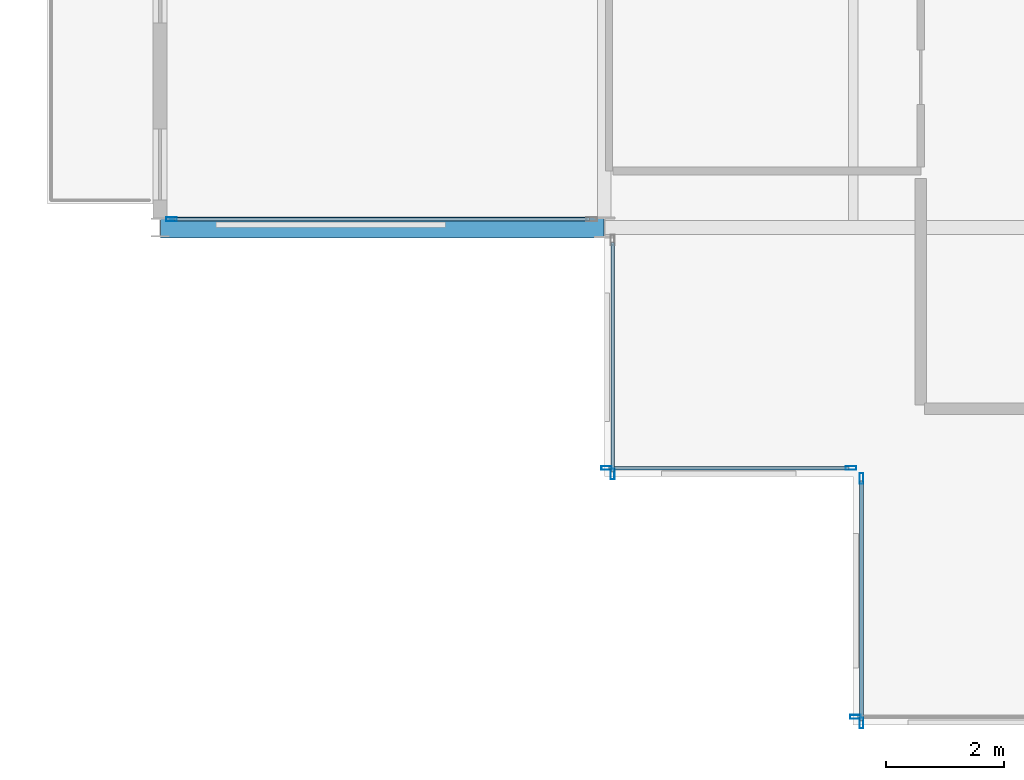
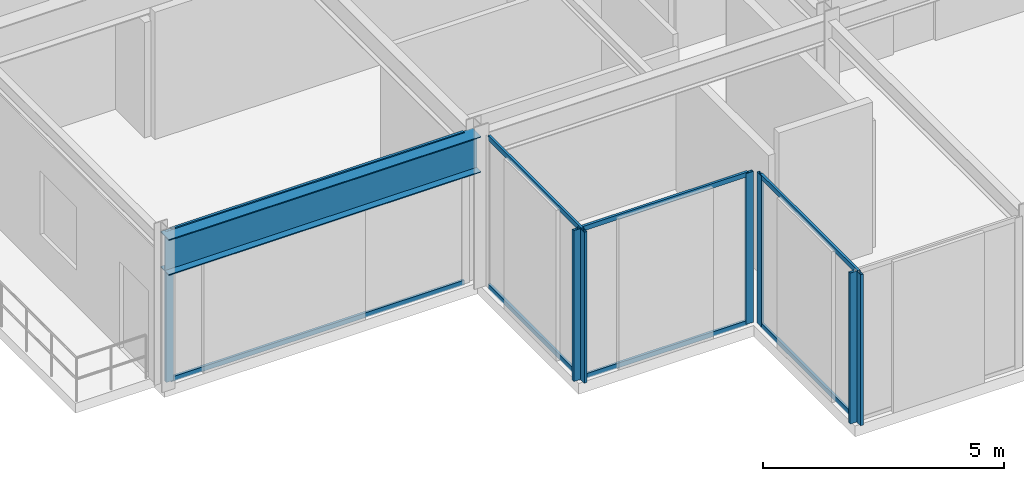
# One storey, part 3 of 29: 15 members, 1 beam, 5 elements without a shape of their own.
"""IFC4 building model written with IfcOpenShell, lengths in metres."""

import ifcopenshell
import ifcopenshell.guid

model = None  # the IFC model being written
_history = None  # IfcOwnerHistory: only IFC2X3 demands one
_inside = {}  # id of a spatial element -> (the spatial element, [elements in it])
_under = {}  # id of a project, library or spatial element -> (it, [spatial elements below it])
_declared = {}  # id of a project -> (the project, [libraries it declares])
_typed = {}  # id of a type object -> (the type object, [elements of that type])
_made_of = {}  # id of a material, layer set ... -> (it, [elements and type objects made of it])


def new_model(schema):
    """Start an empty IFC model of exactly this schema.

    Asked for "IFC4X3", IfcOpenShell would pick the latest addendum, in which some entities
    have other attributes; the version numbers below select the first issue.
    IFC2X3 requires an IfcOwnerHistory on every rooted entity: one is made here for all.
    """
    global model, _history
    if schema == "IFC4X3":
        model = ifcopenshell.file(schema_version=(4, 3, 0, 0))
    else:
        model = ifcopenshell.file(schema=schema)
    _inside.clear()
    _under.clear()
    _declared.clear()
    _typed.clear()
    _made_of.clear()
    _history = None
    if model.schema == "IFC2X3":
        org = make("IfcOrganization", Name="unknown")
        user = make(
            "IfcPersonAndOrganization",
            ThePerson=make("IfcPerson", FamilyName="unknown"),
            TheOrganization=org,
        )
        app = make(
            "IfcApplication",
            ApplicationDeveloper=org,
            Version="unknown",
            ApplicationFullName="unknown",
            ApplicationIdentifier="unknown",
        )
        _history = make(
            "IfcOwnerHistory",
            OwningUser=user,
            OwningApplication=app,
            ChangeAction="ADDED",
            CreationDate=0,
        )
    return model


def make(cls, **values):
    """One entity of the class cls with the attributes given. An attribute that is None is left unset."""
    return model.create_entity(
        cls, **{name: value for name, value in values.items() if value is not None}
    )


def rooted(cls, **values):
    """An entity with a GlobalId (a new one), such as an element, a storey or a relation."""
    return make(cls, GlobalId=ifcopenshell.guid.new(), OwnerHistory=_history, **values)


def si_unit(unit_type, name, prefix=None):
    """IfcSIUnit, for example si_unit("LENGTHUNIT", "METRE", prefix="MILLI")."""
    return make("IfcSIUnit", UnitType=unit_type, Prefix=prefix, Name=name)


def assignment(units):
    """IfcUnitAssignment: the units of a project."""
    return None if units is None else make("IfcUnitAssignment", Units=units)


def point(xyz):
    """IfcCartesianPoint."""
    return None if xyz is None else make("IfcCartesianPoint", Coordinates=xyz)


def direction(xyz):
    """IfcDirection."""
    return None if xyz is None else make("IfcDirection", DirectionRatios=xyz)


def frame(location, z_axis=None, x_axis=None):
    """IfcAxis2Placement3D, a coordinate frame: its origin and axes. An axis left out is left unset."""
    return make(
        "IfcAxis2Placement3D",
        Location=point(location),
        Axis=direction(z_axis),
        RefDirection=direction(x_axis),
    )


def frame_2d(location, x_axis=None):
    """IfcAxis2Placement2D, a coordinate frame in the plane: its origin and x axis."""
    return make(
        "IfcAxis2Placement2D", Location=point(location), RefDirection=direction(x_axis)
    )


def origin():
    """The frame at (0, 0, 0) with its axes left unset."""
    return frame((0.0, 0.0, 0.0))


def origin_2d():
    """The frame at (0, 0) in the plane with its x axis left unset."""
    return frame_2d((0.0, 0.0))


def place(relative_to, where):
    """IfcLocalPlacement: puts the frame where relative to a parent placement (None: the world)."""
    return make(
        "IfcLocalPlacement", PlacementRelTo=relative_to, RelativePlacement=where
    )


def context(
    kind, dimensions, precision=None, world=None, true_north=None, identifier=None
):
    """IfcGeometricRepresentationContext, for example the 3D "Model" context."""
    return make(
        "IfcGeometricRepresentationContext",
        ContextIdentifier=identifier,
        ContextType=kind,
        CoordinateSpaceDimension=dimensions,
        Precision=precision,
        WorldCoordinateSystem=world,
        TrueNorth=true_north,
    )


def subcontext(parent, identifier, kind, view, scale=None):
    """IfcGeometricRepresentationSubContext, for example "Body" below "Model"."""
    return make(
        "IfcGeometricRepresentationSubContext",
        ContextIdentifier=identifier,
        ContextType=kind,
        ParentContext=parent,
        TargetScale=scale,
        TargetView=view,
    )


def project(units=None, contexts=None):
    """IfcProject with its units and contexts."""
    return rooted(
        "IfcProject",
        Name="project",
        RepresentationContexts=contexts,
        UnitsInContext=assignment(units),
    )


def spatial(cls, under=None, at=None, **own):
    """A site, building, storey or space (cls), placed at a placement, below another one or the project."""
    s = rooted(cls, ObjectPlacement=at, **own)
    if under is not None:
        _under.setdefault(under.id(), (under, []))[1].append(s)
    return s


def profile(cls, at=None, kind="AREA", **sizes):
    """A parametric profile (cls). Its sizes go by their IFC names, for example OverallWidth=200.0."""
    return make(cls, ProfileType=kind, Position=at, **sizes)


def hollow_rectangle(**sizes):
    """IfcRectangleHollowProfileDef."""
    return profile("IfcRectangleHollowProfileDef", **sizes)


def i_section(**sizes):
    """IfcIShapeProfileDef."""
    return profile("IfcIShapeProfileDef", **sizes)


def extrude(swept, where, along, depth):
    """IfcExtrudedAreaSolid: the profile swept, set in the frame where, extruded along a direction by depth."""
    return make(
        "IfcExtrudedAreaSolid",
        SweptArea=swept,
        Position=where,
        ExtrudedDirection=direction(along),
        Depth=depth,
    )


def shape(context_of_items, identifier, shape_type, items):
    """IfcShapeRepresentation: the items that make up one representation, for example the "Body"."""
    return make(
        "IfcShapeRepresentation",
        ContextOfItems=context_of_items,
        RepresentationIdentifier=identifier,
        RepresentationType=shape_type,
        Items=items,
    )


def material(Name=None, Category=None):
    """IfcMaterial."""
    return make("IfcMaterial", Name=Name, Category=Category)


def layer(
    of_material, thickness, ventilated=None, Name=None, Category=None, Priority=None
):
    """IfcMaterialLayer: one layer of a wall or slab, of a material (None: an air gap)."""
    return make(
        "IfcMaterialLayer",
        Material=of_material,
        LayerThickness=thickness,
        IsVentilated=ventilated,
        Name=Name,
        Category=Category,
        Priority=Priority,
    )


def layer_set(layers, Name=None):
    """IfcMaterialLayerSet."""
    return make("IfcMaterialLayerSet", MaterialLayers=layers, LayerSetName=Name)


def material_profile(
    of_material, cross_section, Name=None, Category=None, Priority=None
):
    """IfcMaterialProfile: a cross section and its material."""
    return make(
        "IfcMaterialProfile",
        Name=Name,
        Material=of_material,
        Profile=cross_section,
        Priority=Priority,
        Category=Category,
    )


def profile_set(profiles, Name=None, composite=None):
    """IfcMaterialProfileSet."""
    return make(
        "IfcMaterialProfileSet",
        Name=Name,
        MaterialProfiles=profiles,
        CompositeProfile=composite,
    )


def made_of(thing, what):
    """Note that an element or type object is made of a material, layer set ...; save() writes the relation."""
    if what is not None:
        _made_of.setdefault(what.id(), (what, []))[1].append(thing)
    return thing


def type_object(cls, material=None, **own):
    """A type object (cls), such as IfcWallType, which elements share."""
    return made_of(rooted(cls, **own), material)


def element(
    cls,
    number,
    at=None,
    inside=None,
    cuts=None,
    type_object=None,
    material=None,
    context=None,
    identifier="Body",
    shape_type=None,
    held_by="IfcProductDefinitionShape",
    body=None,
    shapes=None,
    **own,
):
    """One element of the class cls, such as IfcWall. Its Tag is "e" and its number.

    at: its placement. inside: the storey or other place that contains it. cuts: it is an
    opening in that element (IfcRelVoidsElement). A single representation is given by context,
    identifier, shape_type and body (its items); several are given by shapes. held_by: the class
    of the entity that holds the representations. save() writes the other relations.
    """
    e = rooted(cls, Tag="e%d" % number, ObjectPlacement=at, **own)
    if body is not None:
        shapes = [shape(context, identifier, shape_type, body)]
    if shapes is not None:
        e.Representation = make(held_by, Representations=shapes)
    if inside is not None:
        _inside.setdefault(inside.id(), (inside, []))[1].append(e)
    if cuts is not None:
        rooted(
            "IfcRelVoidsElement", RelatingBuildingElement=cuts, RelatedOpeningElement=e
        )
    if type_object is not None:
        _typed.setdefault(type_object.id(), (type_object, []))[1].append(e)
    return made_of(e, material)


def aggregate(whole, parts):
    """IfcRelAggregates: a whole, such as a stair, and the parts it consists of."""
    return rooted("IfcRelAggregates", RelatingObject=whole, RelatedObjects=parts)


def save(model, path):
    """Write the relations noted so far, then the file.

    IfcRelAggregates (storeys below a building ...), IfcRelContainedInSpatialStructure (elements
    in a storey), IfcRelDefinesByType, IfcRelAssociatesMaterial and IfcRelDeclares: one each for
    every whole, place, type object, material and project.
    """
    for whole, parts in _under.values():
        aggregate(whole, parts)
    for where, things in _inside.values():
        rooted(
            "IfcRelContainedInSpatialStructure",
            RelatedElements=things,
            RelatingStructure=where,
        )
    for kind, things in _typed.values():
        rooted("IfcRelDefinesByType", RelatedObjects=things, RelatingType=kind)
    for what, things in _made_of.values():
        rooted("IfcRelAssociatesMaterial", RelatedObjects=things, RelatingMaterial=what)
    for by, libraries in _declared.values():
        rooted("IfcRelDeclares", RelatingContext=by, RelatedDefinitions=libraries)
    model.write(path)


model = new_model("IFC4")

# Units and contexts
model_context = context("Model", 3, precision=1e-05, world=origin(), true_north=direction((0.0, 1.0)))
body_context = subcontext(model_context, "Body", "Model", "MODEL_VIEW")
ifc_project = project(units=[si_unit("LENGTHUNIT", "METRE"), si_unit("AREAUNIT", "SQUARE_METRE"), si_unit("VOLUMEUNIT", "CUBIC_METRE"), si_unit("PLANEANGLEUNIT", "RADIAN"), si_unit("MASSUNIT", "GRAM", prefix="KILO")], contexts=[model_context])

# Site, building, storey
site_placement = place(None, origin())
site = spatial("IfcSite", under=ifc_project, at=site_placement, CompositionType="ELEMENT")
building_placement = place(site_placement, origin())
building = spatial("IfcBuilding", under=site, at=building_placement, Name="Nerrivon Quay Data Exchange", CompositionType="ELEMENT")
storey_placement = place(building_placement, frame((0.0, 0.0, 196.0)))
storey = spatial("IfcBuildingStorey", under=building, at=storey_placement, Name="L46", CompositionType="ELEMENT", Elevation=196.0)

# Beam
ifc_material_1 = material(Name="Steel Grade 350", Category="steel")
ifc_material_profile_1 = material_profile(ifc_material_1, i_section(OverallWidth=0.35009765625, OverallDepth=0.909912109375, WebThickness=0.011962890625, FlangeThickness=0.02490234375, at=origin_2d()), Name="900WB218")
ifc_profile_set_1 = profile_set([ifc_material_profile_1], Name="Steel Grade 350")
beam_type = type_object("IfcBeamType", Name="BM-CANT-900WB", PredefinedType="USERDEFINED", material=ifc_profile_set_1)
beam_placement = place(storey_placement, frame((-0.010009765625, 8.39990234375, 3.3701171875), z_axis=(-1.0, 0.0, 0.0), x_axis=(0.0, -1.0, 0.0)))
element("IfcBeam", 1, at=beam_placement, inside=storey, type_object=beam_type, Name="L46 West Hooked Cantilever Girder Y=8.4", ObjectType="TRANSFER", PredefinedType="USERDEFINED", context=body_context, shape_type="SweptSolid", body=[
    extrude(i_section(OverallWidth=0.35009765625, OverallDepth=0.909912109375, WebThickness=0.011962890625, FlangeThickness=0.02490234375, at=origin_2d()), origin(), (0.0, 0.0, 1.0), 7.482177734375),
])

# Curtain wall, member
ifc_material_2 = material(Name="Anodised aluminium 6063-T6", Category="aluminium")
ifc_layer_1 = layer(ifc_material_2, 0.195068359375)
ifc_layer_set_1 = layer_set([ifc_layer_1], Name="Anodised aluminium 6063-T6")
curtain_wall_type_1 = type_object("IfcCurtainWallType", Name="CW-SYS-06", PredefinedType="NOTDEFINED", material=ifc_layer_set_1)
curtain_wall_1_placement = place(storey_placement, origin())
curtain_wall_1 = element("IfcCurtainWall", 2, at=curtain_wall_1_placement, inside=storey, type_object=curtain_wall_type_1, Name="L46 Unitised Curtain Wall 28", PredefinedType="NOTDEFINED")
ifc_material_profile_2 = material_profile(ifc_material_2, hollow_rectangle(XDim=0.06494140625, YDim=0.179931640625, WallThickness=0.00341796875, at=origin_2d()), Name="ALU-MULL-180x65")
ifc_profile_set_2 = profile_set([ifc_material_profile_2], Name="Anodised aluminium 6063-T6")
member_type_1 = type_object("IfcMemberType", Name="CWM-180x65", PredefinedType="MULLION", material=ifc_profile_set_2)
member_1_placement = place(storey_placement, frame((4.237548828125, 0.139892578125, 0.0), z_axis=(0.0, 0.0, 1.0), x_axis=(0.0, -1.0, 0.0)))
member_1 = element("IfcMember", 3, at=member_1_placement, type_object=member_type_1, Name="CW06 mullion 2", PredefinedType="MULLION", context=body_context, shape_type="SweptSolid", body=[
    extrude(hollow_rectangle(XDim=0.06494140625, YDim=0.179931640625, WallThickness=0.00341796875, at=origin_2d()), origin(), (0.0, 0.0, 1.0), 3.824951171875),
])
aggregate(curtain_wall_1, [member_1])

# Curtain wall, members
curtain_wall_2_placement = place(storey_placement, origin())
curtain_wall_2 = element("IfcCurtainWall", 4, at=curtain_wall_2_placement, inside=storey, type_object=curtain_wall_type_1, Name="L46 Unitised Curtain Wall 29", PredefinedType="NOTDEFINED")
member_2_placement = place(storey_placement, frame((4.340087890625, 0.03759765625, 0.0), z_axis=(0.0, 0.0, 1.0), x_axis=(-1.0, 0.0, 0.0)))
member_2 = element("IfcMember", 5, at=member_2_placement, type_object=member_type_1, Name="CW06 mullion 1", PredefinedType="MULLION", context=body_context, shape_type="SweptSolid", body=[
    extrude(hollow_rectangle(XDim=0.06494140625, YDim=0.179931640625, WallThickness=0.00341796875, at=origin_2d()), origin(), (0.0, 0.0, 1.0), 3.824951171875),
])
member_3_placement = place(storey_placement, frame((4.340087890625, 4.16259765625, 0.0), z_axis=(0.0, 0.0, 1.0), x_axis=(-1.0, 0.0, 0.0)))
member_3 = element("IfcMember", 6, at=member_3_placement, type_object=member_type_1, Name="CW06 mullion 2", PredefinedType="MULLION", context=body_context, shape_type="SweptSolid", body=[
    extrude(hollow_rectangle(XDim=0.06494140625, YDim=0.179931640625, WallThickness=0.00341796875, at=origin_2d()), origin(), (0.0, 0.0, 1.0), 3.824951171875),
])

curtain_wall_3_placement = place(storey_placement, origin())
curtain_wall_3 = element("IfcCurtainWall", 7, at=curtain_wall_3_placement, inside=storey, type_object=curtain_wall_type_1, Name="L46 Unitised Curtain Wall 30", PredefinedType="NOTDEFINED")
member_4_placement = place(storey_placement, frame((4.16259765625, 4.340087890625, 0.0), z_axis=(0.0, 0.0, 1.0), x_axis=(0.0, -1.0, 0.0)))
member_4 = element("IfcMember", 8, at=member_4_placement, type_object=member_type_1, Name="CW06 mullion 1", PredefinedType="MULLION", context=body_context, shape_type="SweptSolid", body=[
    extrude(hollow_rectangle(XDim=0.06494140625, YDim=0.179931640625, WallThickness=0.00341796875, at=origin_2d()), origin(), (0.0, 0.0, 1.0), 3.824951171875),
])
member_5_placement = place(storey_placement, frame((0.03759765625, 4.340087890625, 0.0), z_axis=(0.0, 0.0, 1.0), x_axis=(0.0, -1.0, 0.0)))
member_5 = element("IfcMember", 9, at=member_5_placement, type_object=member_type_1, Name="CW06 mullion 2", PredefinedType="MULLION", context=body_context, shape_type="SweptSolid", body=[
    extrude(hollow_rectangle(XDim=0.06494140625, YDim=0.179931640625, WallThickness=0.00341796875, at=origin_2d()), origin(), (0.0, 0.0, 1.0), 3.824951171875),
])

# Curtain wall, member
curtain_wall_4_placement = place(storey_placement, origin())
curtain_wall_4 = element("IfcCurtainWall", 10, at=curtain_wall_4_placement, inside=storey, type_object=curtain_wall_type_1, Name="L46 Unitised Curtain Wall 31", PredefinedType="NOTDEFINED")
member_6_placement = place(storey_placement, frame((0.139892578125, 4.237548828125, 0.0), z_axis=(0.0, 0.0, 1.0), x_axis=(-1.0, 0.0, 0.0)))
member_6 = element("IfcMember", 11, at=member_6_placement, type_object=member_type_1, Name="CW06 mullion 1", PredefinedType="MULLION", context=body_context, shape_type="SweptSolid", body=[
    extrude(hollow_rectangle(XDim=0.06494140625, YDim=0.179931640625, WallThickness=0.00341796875, at=origin_2d()), origin(), (0.0, 0.0, 1.0), 3.824951171875),
])

ifc_layer_2 = layer(ifc_material_2, 0.199951171875)
ifc_layer_set_2 = layer_set([ifc_layer_2], Name="Anodised aluminium 6063-T6")
curtain_wall_type_2 = type_object("IfcCurtainWallType", Name="CW-SYS-04", PredefinedType="NOTDEFINED", material=ifc_layer_set_2)
curtain_wall_5_placement = place(storey_placement, origin())
curtain_wall_5 = element("IfcCurtainWall", 12, at=curtain_wall_5_placement, inside=storey, type_object=curtain_wall_type_2, Name="L46 Unitised Curtain Wall 32", PredefinedType="NOTDEFINED")
member_7_placement = place(storey_placement, frame((-7.306884765625, 8.5400390625, 0.0), z_axis=(0.0, 0.0, 1.0), x_axis=(0.0, -1.0, 0.0)))
member_7 = element("IfcMember", 13, at=member_7_placement, type_object=member_type_1, Name="CW04 mullion 2", PredefinedType="MULLION", context=body_context, shape_type="SweptSolid", body=[
    extrude(hollow_rectangle(XDim=0.06494140625, YDim=0.179931640625, WallThickness=0.00341796875, at=origin_2d()), origin(), (0.0, 0.0, 1.0), 3.824951171875),
])

# Member
ifc_material_profile_3 = material_profile(ifc_material_2, hollow_rectangle(XDim=0.06005859375, YDim=0.1201171875, WallThickness=0.003173828125, at=origin_2d()), Name="ALU-TRAN-120x60")
ifc_profile_set_3 = profile_set([ifc_material_profile_3], Name="Anodised aluminium 6063-T6")
member_type_2 = type_object("IfcMemberType", Name="CWT-120x60", PredefinedType="USERDEFINED", material=ifc_profile_set_3)
member_8_placement = place(storey_placement, frame((4.340087890625, 0.074951171875, 0.032470703125), z_axis=(0.0, 1.0, 0.0), x_axis=(-1.0, 0.0, 0.0)))
member_8 = element("IfcMember", 14, at=member_8_placement, type_object=member_type_2, Name="CW06 transom 1.1", ObjectType="TRANSOM", PredefinedType="USERDEFINED", context=body_context, shape_type="SweptSolid", body=[
    extrude(hollow_rectangle(XDim=0.06005859375, YDim=0.1201171875, WallThickness=0.003173828125, at=origin_2d()), origin(), (0.0, 0.0, 1.0), 4.050048828125),
])

member_9_placement = place(storey_placement, frame((4.340087890625, 0.074951171875, 3.79248046875), z_axis=(0.0, 1.0, 0.0), x_axis=(-1.0, 0.0, 0.0)))
member_9 = element("IfcMember", 15, at=member_9_placement, type_object=member_type_2, Name="CW06 transom 1.2", ObjectType="TRANSOM", PredefinedType="USERDEFINED", context=body_context, shape_type="SweptSolid", body=[
    extrude(hollow_rectangle(XDim=0.06005859375, YDim=0.1201171875, WallThickness=0.003173828125, at=origin_2d()), origin(), (0.0, 0.0, 1.0), 4.050048828125),
])

aggregate(curtain_wall_2, [member_2, member_3, member_8, member_9])

member_10_placement = place(storey_placement, frame((4.125, 4.340087890625, 0.032470703125), z_axis=(-1.0, 0.0, 0.0), x_axis=(0.0, -1.0, 0.0)))
member_10 = element("IfcMember", 16, at=member_10_placement, type_object=member_type_2, Name="CW06 transom 1.1", ObjectType="TRANSOM", PredefinedType="USERDEFINED", context=body_context, shape_type="SweptSolid", body=[
    extrude(hollow_rectangle(XDim=0.06005859375, YDim=0.1201171875, WallThickness=0.003173828125, at=origin_2d()), origin(), (0.0, 0.0, 1.0), 4.050048828125),
])

member_11_placement = place(storey_placement, frame((4.125, 4.340087890625, 3.79248046875), z_axis=(-1.0, 0.0, 0.0), x_axis=(0.0, -1.0, 0.0)))
member_11 = element("IfcMember", 17, at=member_11_placement, type_object=member_type_2, Name="CW06 transom 1.2", ObjectType="TRANSOM", PredefinedType="USERDEFINED", context=body_context, shape_type="SweptSolid", body=[
    extrude(hollow_rectangle(XDim=0.06005859375, YDim=0.1201171875, WallThickness=0.003173828125, at=origin_2d()), origin(), (0.0, 0.0, 1.0), 4.050048828125),
])

aggregate(curtain_wall_3, [member_4, member_5, member_10, member_11])

member_12_placement = place(storey_placement, frame((0.139892578125, 4.27490234375, 0.032470703125), z_axis=(0.0, 1.0, 0.0), x_axis=(-1.0, 0.0, 0.0)))
member_12 = element("IfcMember", 18, at=member_12_placement, type_object=member_type_2, Name="CW06 transom 1.1", ObjectType="TRANSOM", PredefinedType="USERDEFINED", context=body_context, shape_type="SweptSolid", body=[
    extrude(hollow_rectangle(XDim=0.06005859375, YDim=0.1201171875, WallThickness=0.003173828125, at=origin_2d()), origin(), (0.0, 0.0, 1.0), 3.875),
])

member_13_placement = place(storey_placement, frame((0.139892578125, 4.27490234375, 3.79248046875), z_axis=(0.0, 1.0, 0.0), x_axis=(-1.0, 0.0, 0.0)))
member_13 = element("IfcMember", 19, at=member_13_placement, type_object=member_type_2, Name="CW06 transom 1.2", ObjectType="TRANSOM", PredefinedType="USERDEFINED", context=body_context, shape_type="SweptSolid", body=[
    extrude(hollow_rectangle(XDim=0.06005859375, YDim=0.1201171875, WallThickness=0.003173828125, at=origin_2d()), origin(), (0.0, 0.0, 1.0), 3.875),
])

aggregate(curtain_wall_4, [member_6, member_12, member_13])

member_14_placement = place(storey_placement, frame((-0.25, 8.5400390625, 0.032470703125), z_axis=(-1.0, 0.0, 0.0), x_axis=(0.0, -1.0, 0.0)))
member_14 = element("IfcMember", 20, at=member_14_placement, type_object=member_type_2, Name="CW04 transom 1.1", ObjectType="TRANSOM", PredefinedType="USERDEFINED", context=body_context, shape_type="SweptSolid", body=[
    extrude(hollow_rectangle(XDim=0.06005859375, YDim=0.1201171875, WallThickness=0.003173828125, at=origin_2d()), origin(), (0.0, 0.0, 1.0), 7.01953125),
])

member_15_placement = place(storey_placement, frame((-0.25, 8.5400390625, 3.79248046875), z_axis=(-1.0, 0.0, 0.0), x_axis=(0.0, -1.0, 0.0)))
member_15 = element("IfcMember", 21, at=member_15_placement, type_object=member_type_2, Name="CW04 transom 1.2", ObjectType="TRANSOM", PredefinedType="USERDEFINED", context=body_context, shape_type="SweptSolid", body=[
    extrude(hollow_rectangle(XDim=0.06005859375, YDim=0.1201171875, WallThickness=0.003173828125, at=origin_2d()), origin(), (0.0, 0.0, 1.0), 7.01953125),
])

aggregate(curtain_wall_5, [member_7, member_14, member_15])

save(model, "model.ifc")
